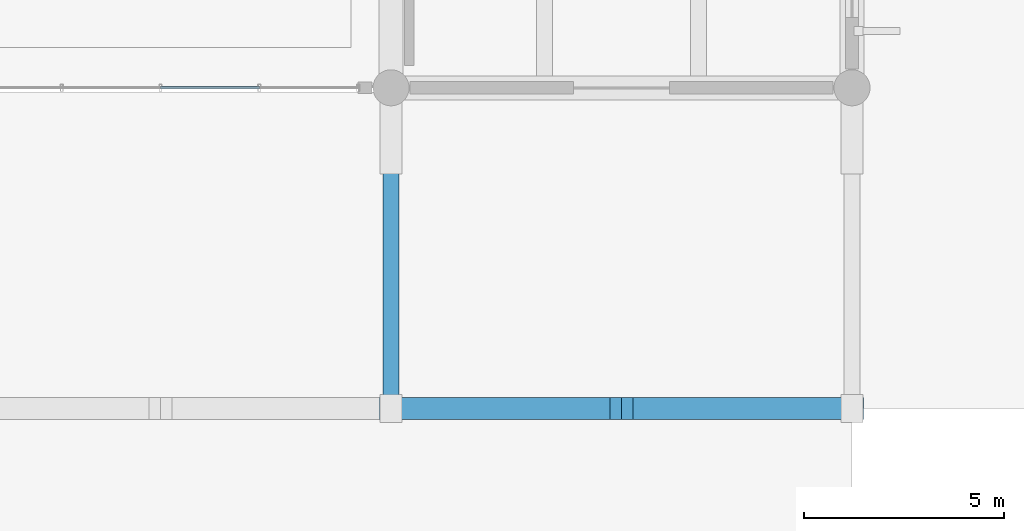
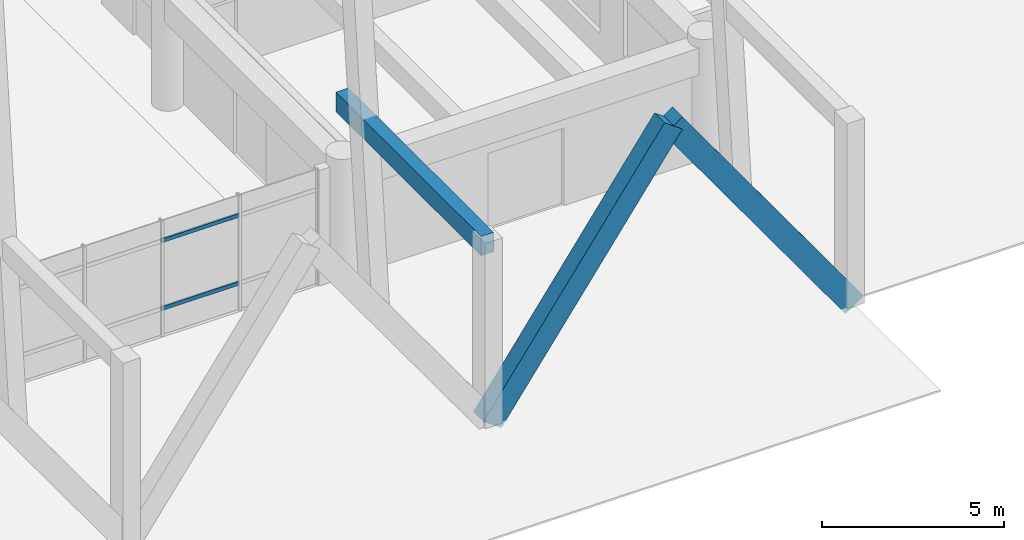
# One storey, part 23 of 109: 4 members, 1 beam, 1 element without a shape of its own.
"""IFC4 building model written with IfcOpenShell, lengths in metres."""

from ifc_helpers import new_model, si_unit, direction, frame, origin, origin_2d, place, context, subcontext, project, spatial, rectangle, hollow_rectangle, extrude, material, material_profile, profile_set, type_object, element, aggregate, save


model = new_model("IFC4")

# Units and contexts
model_context = context("Model", 3, precision=1e-05, world=origin(), true_north=direction((0.0, 1.0)))
body_context = subcontext(model_context, "Body", "Model", "MODEL_VIEW")
ifc_project = project(units=[si_unit("LENGTHUNIT", "METRE"), si_unit("AREAUNIT", "SQUARE_METRE"), si_unit("VOLUMEUNIT", "CUBIC_METRE"), si_unit("PLANEANGLEUNIT", "RADIAN"), si_unit("MASSUNIT", "GRAM", prefix="KILO")], contexts=[model_context])

# Site, building, storey
site_placement = place(None, origin())
site = spatial("IfcSite", under=ifc_project, at=site_placement, CompositionType="ELEMENT")
building_placement = place(site_placement, origin())
building = spatial("IfcBuilding", under=site, at=building_placement, Name="Ologun Quay Terminus", CompositionType="ELEMENT")
storey_placement = place(building_placement, origin())
storey = spatial("IfcBuildingStorey", under=building, at=storey_placement, Name="L00", CompositionType="ELEMENT", Elevation=0.0)

# Curtain wall, members
ifc_material_1 = material(Name="Aluminium 6063-T6", Category="aluminium")
curtain_wall_type = type_object("IfcCurtainWallType", Name="Forecourt Arcade Curtain Wall 10700x3750", PredefinedType="USERDEFINED", material=ifc_material_1)
curtain_wall_placement = place(storey_placement, origin())
curtain_wall = element("IfcCurtainWall", 1, at=curtain_wall_placement, inside=storey, type_object=curtain_wall_type, Name="CW-03 Curtain Wall CW-L00-006", ObjectType="UNITISED CURTAIN WALL", PredefinedType="USERDEFINED")
ifc_material_2 = material(Name="Aluminium 6063-T6", Category="aluminium")
ifc_material_profile_1 = material_profile(ifc_material_2, hollow_rectangle(XDim=0.06005859375, YDim=0.1298828125, WallThickness=0.00390625, at=origin_2d()), Name="ALU 130x60x4")
ifc_profile_set_1 = profile_set([ifc_material_profile_1], Name="Aluminium 6063-T6")
member_type_1 = type_object("IfcMemberType", Name="Curtain Wall Heavy Transom 130x60", PredefinedType="USERDEFINED", material=ifc_profile_set_1)
member_1_placement = place(storey_placement, frame((109.25, 8.0, 0.89990234375), z_axis=(1.0, 0.0, 0.0), x_axis=(0.0, 1.0, 0.0)))
member_1 = element("IfcMember", 2, at=member_1_placement, type_object=member_type_1, Name="CW-L00-006 Transom B3-1", ObjectType="TRANSOM", PredefinedType="USERDEFINED", context=body_context, shape_type="SweptSolid", body=[
    extrude(hollow_rectangle(XDim=0.06005859375, YDim=0.1298828125, WallThickness=0.00390625, at=origin_2d()), origin(), (0.0, 0.0, 1.0), 2.465087890625),
])
member_2_placement = place(storey_placement, frame((109.25, 8.0, 3.179931640625), z_axis=(1.0, 0.0, 0.0), x_axis=(0.0, 1.0, 0.0)))
member_2 = element("IfcMember", 3, at=member_2_placement, type_object=member_type_1, Name="CW-L00-006 Transom B3-2", ObjectType="TRANSOM", PredefinedType="USERDEFINED", context=body_context, shape_type="SweptSolid", body=[
    extrude(hollow_rectangle(XDim=0.06005859375, YDim=0.1298828125, WallThickness=0.00390625, at=origin_2d()), origin(), (0.0, 0.0, 1.0), 2.465087890625),
])
aggregate(curtain_wall, [member_1, member_2])

# Members
ifc_material_3 = material(Name="Concrete C45/55", Category="concrete")
ifc_material_profile_2 = material_profile(ifc_material_3, rectangle(XDim=0.550048828125, YDim=0.699951171875, at=origin_2d()), Name="RC 550x700")
ifc_profile_set_2 = profile_set([ifc_material_profile_2], Name="Concrete C45/55")
member_type_2 = type_object("IfcMemberType", Name="Folded Canopy Concrete V-Strut 550x700", PredefinedType="STRUT", material=ifc_profile_set_2)
for number, where, z_axis, x_axis, name in (
    (4, (115.0, 0.0, 0.0), (0.582674207859, 0.0, 0.812705830849), (0.0, 1.0, 0.0), "VS2 Canopy Strut 11/A-E"),
    (5, (126.5, 0.0, 0.0), (-0.582674207859, 0.0, 0.812705830849), (0.0, -1.0, 0.0), "VS2 Canopy Strut 12/A-W"),
):
    element("IfcMember", number, at=place(storey_placement, frame(where, z_axis=z_axis, x_axis=x_axis)), inside=storey, type_object=member_type_2, Name=name, PredefinedType="STRUT", context=body_context, shape_type="SweptSolid", body=[
        extrude(rectangle(XDim=0.550048828125, YDim=0.699951171875, at=origin_2d()), origin(), (0.0, 0.0, 1.0), 9.868408203125),
    ])

# Beam
ifc_material_4 = material(Name="Concrete C40/50", Category="concrete")
ifc_material_profile_3 = material_profile(ifc_material_4, rectangle(XDim=0.39990234375, YDim=0.64990234375, at=origin_2d()), Name="RC 400x650")
ifc_profile_set_3 = profile_set([ifc_material_profile_3], Name="Concrete C40/50")
beam_type = type_object("IfcBeamType", Name="Station Secondary Joist 400x650", PredefinedType="JOIST", material=ifc_profile_set_3)
beam_placement = place(storey_placement, frame((115.0, 0.0, 5.89501953125), z_axis=(0.0, 1.0, 0.0), x_axis=(-1.0, 0.0, 0.0)))
element("IfcBeam", 6, at=beam_placement, inside=storey, type_object=beam_type, Name="J1 Beam 11/A L00", PredefinedType="JOIST", context=body_context, shape_type="SweptSolid", body=[
    extrude(rectangle(XDim=0.39990234375, YDim=0.64990234375, at=origin_2d()), origin(), (0.0, 0.0, 1.0), 8.0),
])

save(model, "model.ifc")
